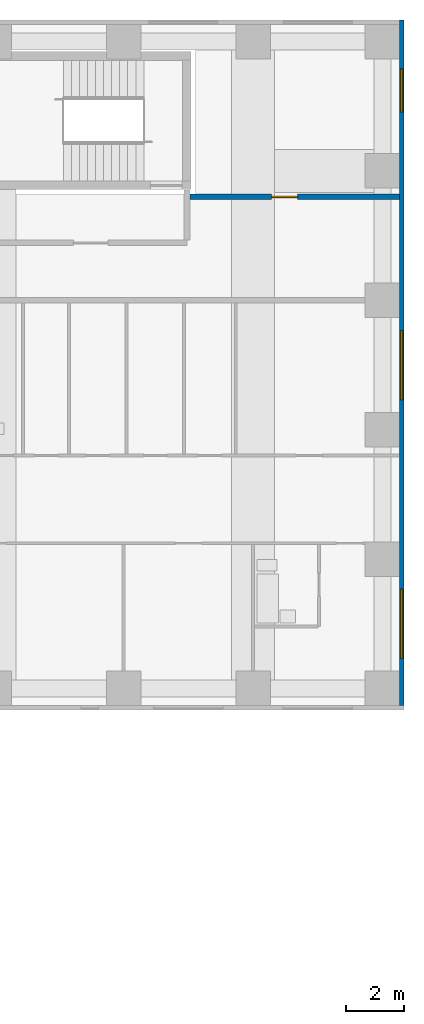
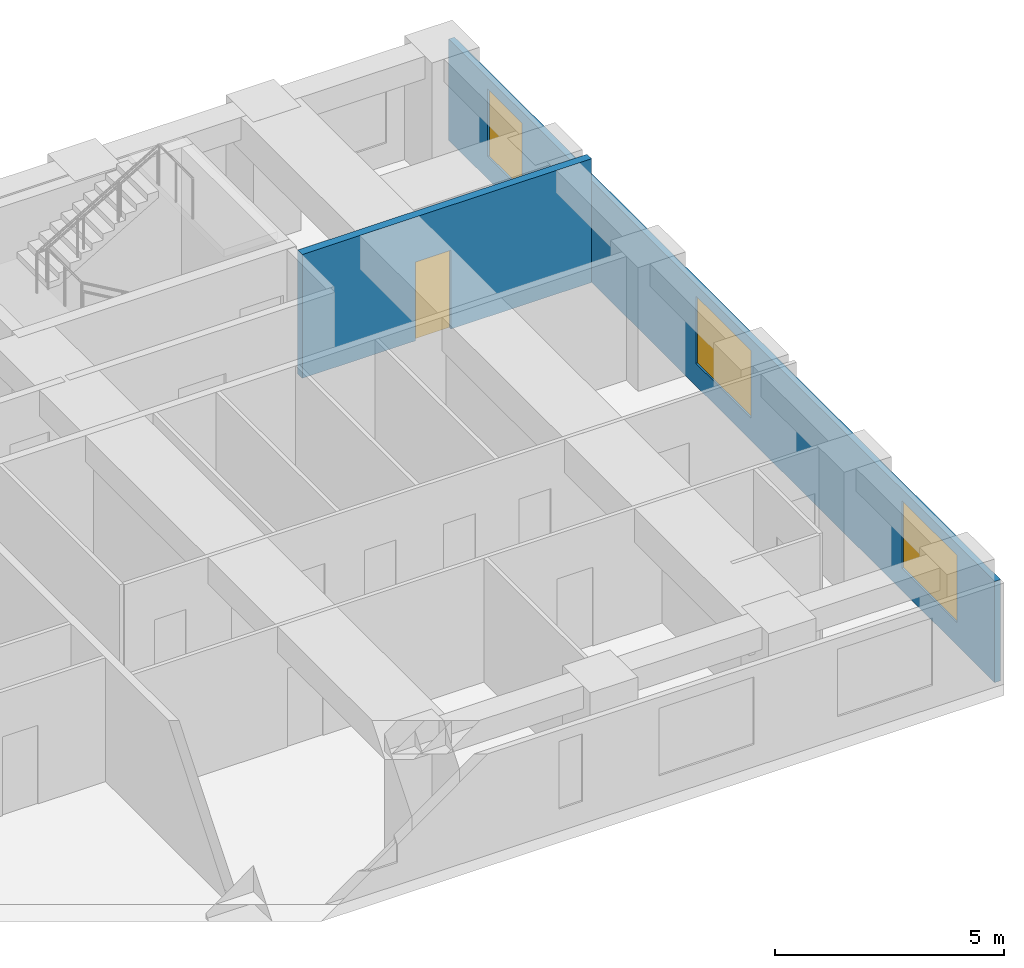
# One storey, part 9 of 12: 3 windows, 2 walls, 1 door, 4 openings.
"""IFC4 building model written with IfcOpenShell, lengths in metres."""

from ifc_helpers import new_model, si_unit, direction, frame, frame_2d, origin, place, context, subcontext, project, spatial, rectangle, extrude, material, layer, layer_set, type_object, element, fill, save


model = new_model("IFC4")

# Units and contexts
model_context = context("Model", 3, precision=1e-05, world=origin(), true_north=direction((0.0, 1.0)))
body_context = subcontext(model_context, "Body", "Model", "MODEL_VIEW")
ifc_project = project(units=[si_unit("LENGTHUNIT", "METRE"), si_unit("AREAUNIT", "SQUARE_METRE"), si_unit("VOLUMEUNIT", "CUBIC_METRE"), si_unit("PLANEANGLEUNIT", "RADIAN"), si_unit("MASSUNIT", "GRAM", prefix="KILO")], contexts=[model_context])

# Site, building, storey
site_placement = place(None, origin())
site = spatial("IfcSite", under=ifc_project, at=site_placement, CompositionType="ELEMENT")
building_placement = place(site_placement, origin())
building = spatial("IfcBuilding", under=site, at=building_placement, Name="Firuza Court", CompositionType="ELEMENT")
storey_placement = place(building_placement, frame((0.0, 0.0, 101.0)))
storey = spatial("IfcBuildingStorey", under=building, at=storey_placement, Name="L25", CompositionType="ELEMENT", Elevation=101.0)

# Wall, opening, door
ifc_material_1 = material(Name="Blockwork, plastered both sides", Category="masonry")
ifc_layer_1 = layer(ifc_material_1, 0.199951171875)
ifc_layer_set_1 = layer_set([ifc_layer_1], Name="Blockwork, plastered both sides")
wall_type_1 = type_object("IfcWallType", Name="Corridor wall 200", PredefinedType="PARTITIONING", material=ifc_layer_set_1)
wall_1_placement = place(storey_placement, frame((60.800048828125, 53.10009765625, 0.0), z_axis=(0.0, 0.0, 1.0), x_axis=(1.0, 0.0, 0.0)))
wall_1 = element("IfcWall", 1, at=wall_1_placement, inside=storey, type_object=wall_type_1, Name="Corridor wall 200 L25", PredefinedType="PARTITIONING", context=body_context, shape_type="SweptSolid", body=[
    extrude(rectangle(XDim=7.300048828125, YDim=0.199951171875, at=frame_2d((3.64990234375, 0.0))), origin(), (0.0, 0.0, 1.0), 3.300048828125),
])
opening_1_placement = place(wall_1_placement, frame((2.85009765625, 0.0, 0.0)))
opening_1 = element("IfcOpeningElement", 2, at=opening_1_placement, cuts=wall_1, Name="Opening D25078", PredefinedType="OPENING", context=body_context, shape_type="SweptSolid", body=[
    extrude(rectangle(XDim=0.89990234375, YDim=2.10009765625, at=frame_2d((0.449951171875, 1.050048828125))), frame((0.0, 0.11181640625, 0.0), z_axis=(0.0, -1.0, 0.0), x_axis=(1.0, 0.0, 0.0)), (0.0, 0.0, 1.0), 0.223876953125),
])
ifc_material_2 = material(Name="Timber door leaf in hardwood frame", Category="wood")
door_type = type_object("IfcDoorType", Name="Room door 900 EI 30", OperationType="SINGLE_SWING_LEFT", PredefinedType="DOOR", material=ifc_material_2)
door_placement = place(opening_1_placement, origin())
door = element("IfcDoor", 3, at=door_placement, inside=storey, type_object=door_type, Name="Meeting room door", OperationType="SINGLE_SWING_LEFT", OverallHeight=2.10009765625, OverallWidth=0.89990234375, PredefinedType="DOOR", context=body_context, shape_type="SweptSolid", body=[
    extrude(rectangle(XDim=0.89990234375, YDim=2.10009765625, at=frame_2d((0.449951171875, 1.050048828125))), frame((0.0, 0.02490234375, 0.0), z_axis=(0.0, -1.0, 0.0), x_axis=(1.0, 0.0, 0.0)), (0.0, 0.0, 1.0), 0.050048828125),
])
fill(opening_1, door)

# Wall, openings, windows
ifc_material_3 = material(Name="Ceramic tile", Category="ceramic")
ifc_layer_2 = layer(ifc_material_3, 0.02001953125)
ifc_material_4 = material(Name="Mineral wool insulation", Category="insulation")
ifc_layer_3 = layer(ifc_material_4, 0.050048828125)
ifc_material_5 = material(Name="Concrete C40/50 precast", Category="concrete")
ifc_layer_4 = layer(ifc_material_5, 0.080078125)
ifc_layer_set_2 = layer_set([ifc_layer_2, ifc_layer_3, ifc_layer_4], Name="Concrete C40/50 precast")
wall_type_2 = type_object("IfcWallType", Name="Precast cladding wall with turquoise TILE PANEL face 150", PredefinedType="STANDARD", material=ifc_layer_set_2)
wall_2_placement = place(storey_placement, frame((68.175048828125, 35.39990234375, 0.0), z_axis=(0.0, 0.0, 1.0), x_axis=(0.0, 1.0, 0.0)))
wall_2 = element("IfcWall", 4, at=wall_2_placement, inside=storey, type_object=wall_type_2, Name="Facade wall L25 E", PredefinedType="STANDARD", context=body_context, shape_type="SweptSolid", body=[
    extrude(rectangle(XDim=23.85009765625, YDim=0.14990234375, at=frame_2d((11.925048828125, 0.0))), origin(), (0.0, 0.0, 1.0), 2.699951171875),
])
opening_2_placement = place(wall_2_placement, frame((1.64990234375, 0.0, 0.60009765625)))
opening_2 = element("IfcOpeningElement", 5, at=opening_2_placement, cuts=wall_2, Name="Opening W1", PredefinedType="OPENING", context=body_context, shape_type="SweptSolid", body=[
    extrude(rectangle(XDim=2.39990234375, YDim=1.800048828125, at=frame_2d((1.199951171875, 0.89990234375))), frame((0.0, 0.0869140625, 0.0), z_axis=(0.0, -1.0, 0.0), x_axis=(1.0, 0.0, 0.0)), (0.0, 0.0, 1.0), 0.173828125),
])
opening_3_placement = place(wall_2_placement, frame((10.64990234375, 0.0, 0.60009765625)))
opening_3 = element("IfcOpeningElement", 6, at=opening_3_placement, cuts=wall_2, Name="Opening W1", PredefinedType="OPENING", context=body_context, shape_type="SweptSolid", body=[
    extrude(rectangle(XDim=2.39990234375, YDim=1.800048828125, at=frame_2d((1.199951171875, 0.89990234375))), frame((0.0, 0.0869140625, 0.0), z_axis=(0.0, -1.0, 0.0), x_axis=(1.0, 0.0, 0.0)), (0.0, 0.0, 1.0), 0.173828125),
])
opening_4_placement = place(wall_2_placement, frame((20.653076171875, 0.0, 0.60009765625)))
opening_4 = element("IfcOpeningElement", 7, at=opening_4_placement, cuts=wall_2, Name="Opening W2", PredefinedType="OPENING", context=body_context, shape_type="SweptSolid", body=[
    extrude(rectangle(XDim=1.5, YDim=1.800048828125, at=frame_2d((0.75, 0.89990234375))), frame((0.0, 0.0869140625, 0.0), z_axis=(0.0, -1.0, 0.0), x_axis=(1.0, 0.0, 0.0)), (0.0, 0.0, 1.0), 0.173828125),
])
ifc_material_6 = material(Name="Aluminium frame, triple clear glazing", Category="aluminium")
window_type_1 = type_object("IfcWindowType", Name="Window W1 2400 x 1800", PartitioningType="SINGLE_PANEL", PredefinedType="WINDOW", material=ifc_material_6)
window_1_placement = place(opening_2_placement, origin())
window_1 = element("IfcWindow", 8, at=window_1_placement, inside=storey, type_object=window_type_1, Name="Window L25", OverallHeight=1.800048828125, OverallWidth=2.39990234375, PartitioningType="SINGLE_PANEL", PredefinedType="WINDOW", context=body_context, shape_type="SweptSolid", body=[
    extrude(rectangle(XDim=2.39990234375, YDim=1.800048828125, at=frame_2d((1.199951171875, 0.89990234375))), frame((0.0, 0.030029296875, 0.0), z_axis=(0.0, -1.0, 0.0), x_axis=(1.0, 0.0, 0.0)), (0.0, 0.0, 1.0), 0.06005859375),
])
fill(opening_2, window_1)
window_2_placement = place(opening_3_placement, origin())
window_2 = element("IfcWindow", 9, at=window_2_placement, inside=storey, type_object=window_type_1, Name="Window L25", OverallHeight=1.800048828125, OverallWidth=2.39990234375, PartitioningType="SINGLE_PANEL", PredefinedType="WINDOW", context=body_context, shape_type="SweptSolid", body=[
    extrude(rectangle(XDim=2.39990234375, YDim=1.800048828125, at=frame_2d((1.199951171875, 0.89990234375))), frame((0.0, 0.030029296875, 0.0), z_axis=(0.0, -1.0, 0.0), x_axis=(1.0, 0.0, 0.0)), (0.0, 0.0, 1.0), 0.06005859375),
])
fill(opening_3, window_2)
ifc_material_7 = material(Name="Aluminium frame, triple clear glazing", Category="aluminium")
window_type_2 = type_object("IfcWindowType", Name="Window W2 1500 x 1800", PartitioningType="SINGLE_PANEL", PredefinedType="WINDOW", material=ifc_material_7)
window_3_placement = place(opening_4_placement, origin())
window_3 = element("IfcWindow", 10, at=window_3_placement, inside=storey, type_object=window_type_2, Name="Window L25", OverallHeight=1.800048828125, OverallWidth=1.5, PartitioningType="SINGLE_PANEL", PredefinedType="WINDOW", context=body_context, shape_type="SweptSolid", body=[
    extrude(rectangle(XDim=1.5, YDim=1.800048828125, at=frame_2d((0.75, 0.89990234375))), frame((0.0, 0.030029296875, 0.0), z_axis=(0.0, -1.0, 0.0), x_axis=(1.0, 0.0, 0.0)), (0.0, 0.0, 1.0), 0.06005859375),
])
fill(opening_4, window_3)

save(model, "model.ifc")
